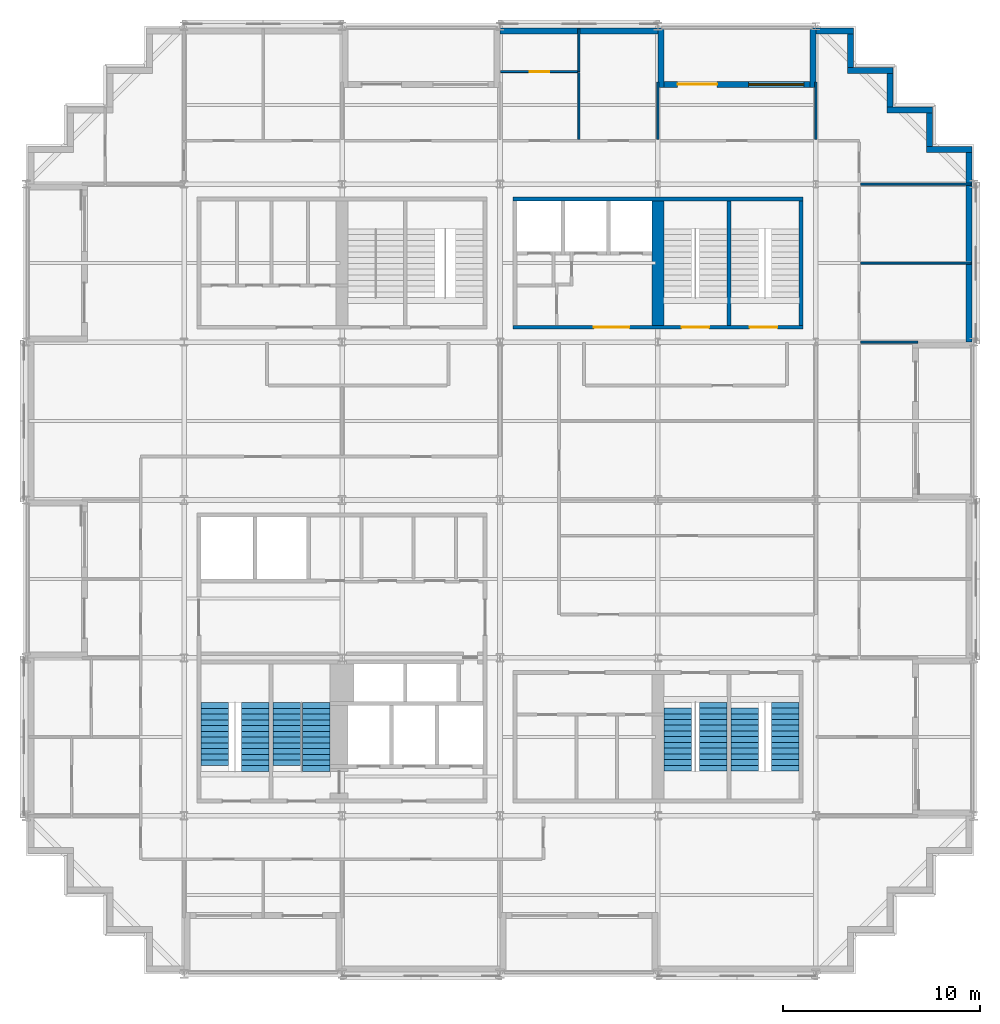
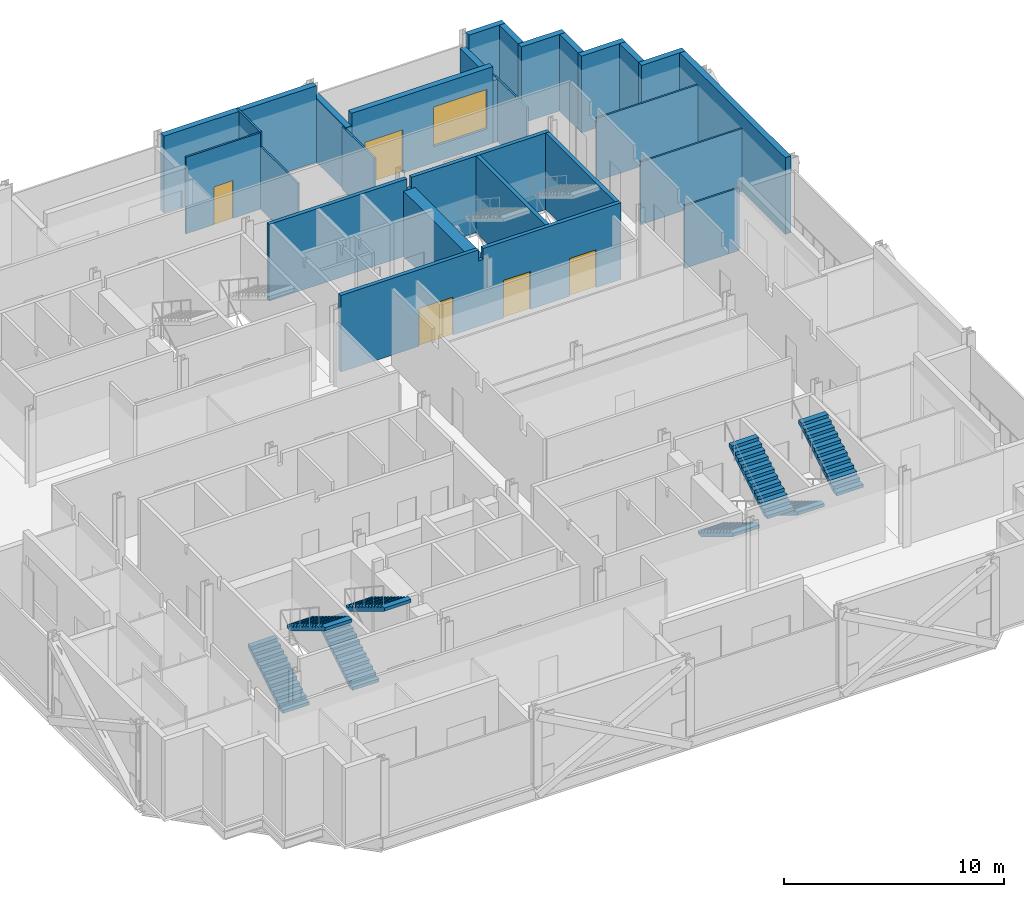
# One storey, part 11 of 14: 25 walls, 8 stair flights, 5 doors, 1 window, 6 openings, 4 elements without a shape of their own.
"""IFC4 building model written with IfcOpenShell, lengths in metres."""

from ifc_helpers import new_model, si_unit, direction, frame, frame_2d, origin, place, context, subcontext, project, spatial, polyline, rectangle, outline, extrude, material, layer, layer_set, type_object, element, fill, aggregate, save


model = new_model("IFC4")

# Units and contexts
model_context = context("Model", 3, precision=1e-05, world=origin(), true_north=direction((0.0, 1.0)))
body_context = subcontext(model_context, "Body", "Model", "MODEL_VIEW")
ifc_project = project(units=[si_unit("LENGTHUNIT", "METRE"), si_unit("AREAUNIT", "SQUARE_METRE"), si_unit("VOLUMEUNIT", "CUBIC_METRE"), si_unit("PLANEANGLEUNIT", "RADIAN"), si_unit("MASSUNIT", "GRAM", prefix="KILO")], contexts=[model_context])

# Site, building, storey
site_placement = place(None, origin())
site = spatial("IfcSite", under=ifc_project, at=site_placement, CompositionType="ELEMENT")
building_placement = place(site_placement, origin())
building = spatial("IfcBuilding", under=site, at=building_placement, Name="Immortelle Media Tower", CompositionType="ELEMENT")
storey_placement = place(building_placement, frame((0.0, 0.0, 96.39990234375)))
storey = spatial("IfcBuildingStorey", under=building, at=storey_placement, Name="L18", CompositionType="ELEMENT", Elevation=96.39990234375)

# Walls
ifc_material_1 = material(Name="Pale aluminium cladding panel", Category="aluminium")
ifc_layer_1 = layer(ifc_material_1, 0.030029296875)
ifc_material_2 = material(Name="Steel ASTM A653 SS Gr 50 stud frame with mineral wool", Category="steel")
ifc_layer_2 = layer(ifc_material_2, 0.257568359375)
ifc_material_3 = material(Name="Moisture-resistant gypsum board", Category="gypsum")
ifc_layer_3 = layer(ifc_material_3, 0.012451171875)
ifc_layer_set_1 = layer_set([ifc_layer_1, ifc_layer_2, ifc_layer_3], Name="Steel ASTM A653 SS Gr 50 stud frame with mineral wool")
wall_type_1 = type_object("IfcWallType", Name="Facade wall 300", PredefinedType="SOLIDWALL", material=ifc_layer_set_1)
wall_1_placement = place(storey_placement, frame((47.75, 32.0, 0.0), z_axis=(0.0, 0.0, 1.0), x_axis=(0.0, 1.0, 0.0)))
element("IfcWall", 1, at=wall_1_placement, inside=storey, type_object=wall_type_1, Name="Facade wall L18 E14", PredefinedType="SOLIDWALL", context=body_context, shape_type="SweptSolid", body=[
    extrude(rectangle(XDim=9.60009765625, YDim=0.300048828125, at=frame_2d((4.800048828125, 0.0))), origin(), (0.0, 0.0, 1.0), 4.25),
])
wall_2_placement = place(storey_placement, frame((47.89990234375, 41.75, 0.0), z_axis=(0.0, 0.0, 1.0), x_axis=(-1.0, 0.0, 0.0)))
element("IfcWall", 2, at=wall_2_placement, inside=storey, type_object=wall_type_1, Name="Facade wall L18 N15", PredefinedType="SOLIDWALL", context=body_context, shape_type="SweptSolid", body=[
    extrude(rectangle(XDim=2.2998046875, YDim=0.300048828125, at=frame_2d((1.14990234375, 0.0))), origin(), (0.0, 0.0, 1.0), 4.25),
])
wall_3_placement = place(storey_placement, frame((45.75, 41.89990234375, 0.0), z_axis=(0.0, 0.0, 1.0), x_axis=(0.0, 1.0, 0.0)))
element("IfcWall", 3, at=wall_3_placement, inside=storey, type_object=wall_type_1, Name="Facade wall L18 E16", PredefinedType="SOLIDWALL", context=body_context, shape_type="SweptSolid", body=[
    extrude(rectangle(XDim=1.7001953125, YDim=0.300048828125, at=frame_2d((0.85009765625, 0.0))), origin(), (0.0, 0.0, 1.0), 4.25),
])
wall_4_placement = place(storey_placement, frame((45.89990234375, 43.75, 0.0), z_axis=(0.0, 0.0, 1.0), x_axis=(-1.0, 0.0, 0.0)))
element("IfcWall", 4, at=wall_4_placement, inside=storey, type_object=wall_type_1, Name="Facade wall L18 N17", PredefinedType="SOLIDWALL", context=body_context, shape_type="SweptSolid", body=[
    extrude(rectangle(XDim=2.2998046875, YDim=0.300048828125, at=frame_2d((1.14990234375, 0.0))), origin(), (0.0, 0.0, 1.0), 4.25),
])
wall_5_placement = place(storey_placement, frame((43.75, 43.89990234375, 0.0), z_axis=(0.0, 0.0, 1.0), x_axis=(0.0, 1.0, 0.0)))
element("IfcWall", 5, at=wall_5_placement, inside=storey, type_object=wall_type_1, Name="Facade wall L18 E18", PredefinedType="SOLIDWALL", context=body_context, shape_type="SweptSolid", body=[
    extrude(rectangle(XDim=1.7001953125, YDim=0.300048828125, at=frame_2d((0.85009765625, 0.0))), origin(), (0.0, 0.0, 1.0), 4.25),
])
wall_6_placement = place(storey_placement, frame((43.89990234375, 45.75, 0.0), z_axis=(0.0, 0.0, 1.0), x_axis=(-1.0, 0.0, 0.0)))
element("IfcWall", 6, at=wall_6_placement, inside=storey, type_object=wall_type_1, Name="Facade wall L18 N19", PredefinedType="SOLIDWALL", context=body_context, shape_type="SweptSolid", body=[
    extrude(rectangle(XDim=2.2998046875, YDim=0.300048828125, at=frame_2d((1.14990234375, 0.0))), origin(), (0.0, 0.0, 1.0), 4.25),
])
wall_7_placement = place(storey_placement, frame((41.75, 45.89990234375, 0.0), z_axis=(0.0, 0.0, 1.0), x_axis=(0.0, 1.0, 0.0)))
element("IfcWall", 7, at=wall_7_placement, inside=storey, type_object=wall_type_1, Name="Facade wall L18 E20", PredefinedType="SOLIDWALL", context=body_context, shape_type="SweptSolid", body=[
    extrude(rectangle(XDim=1.7001953125, YDim=0.300048828125, at=frame_2d((0.85009765625, 0.0))), origin(), (0.0, 0.0, 1.0), 4.25),
])
wall_8_placement = place(storey_placement, frame((41.89990234375, 47.75, 0.0), z_axis=(0.0, 0.0, 1.0), x_axis=(-1.0, 0.0, 0.0)))
element("IfcWall", 8, at=wall_8_placement, inside=storey, type_object=wall_type_1, Name="Facade wall L18 N21", PredefinedType="SOLIDWALL", context=body_context, shape_type="SweptSolid", body=[
    extrude(rectangle(XDim=1.89990234375, YDim=0.300048828125, at=frame_2d((0.949951171875, 0.0))), origin(), (0.0, 0.0, 1.0), 4.25),
])

# Wall, openings, door, window
wall_9_placement = place(storey_placement, frame((39.699951171875, 45.050048828125, 0.0), z_axis=(0.0, 0.0, 1.0), x_axis=(-1.0, 0.0, 0.0)))
wall_9 = element("IfcWall", 9, at=wall_9_placement, inside=storey, type_object=wall_type_1, Name="Loggia wall L18 N21", PredefinedType="SOLIDWALL", context=body_context, shape_type="SweptSolid", body=[
    extrude(rectangle(XDim=7.39990234375, YDim=0.300048828125, at=frame_2d((3.699951171875, 0.0))), origin(), (0.0, 0.0, 1.0), 4.25),
])
opening_1_placement = place(wall_9_placement, frame((0.300048828125, 0.0, 0.89990234375)))
opening_1 = element("IfcOpeningElement", 10, at=opening_1_placement, cuts=wall_9, Name="Opening W1", PredefinedType="OPENING", context=body_context, shape_type="SweptSolid", body=[
    extrude(rectangle(XDim=2.800048828125, YDim=2.199951171875, at=frame_2d((1.39990234375, 1.10009765625))), frame((0.0, 0.159912109375, 0.0), z_axis=(0.0, -1.0, 0.0), x_axis=(1.0, 0.0, 0.0)), (0.0, 0.0, 1.0), 0.320068359375),
])
opening_2_placement = place(wall_9_placement, frame((4.699951171875, 0.0, 0.0)))
opening_2 = element("IfcOpeningElement", 11, at=opening_2_placement, cuts=wall_9, Name="Opening N6-E007", PredefinedType="OPENING", context=body_context, shape_type="SweptSolid", body=[
    extrude(rectangle(XDim=2.0, YDim=2.39990234375, at=frame_2d((1.0, 1.199951171875))), frame((0.0, 0.159912109375, 0.0), z_axis=(0.0, -1.0, 0.0), x_axis=(1.0, 0.0, 0.0)), (0.0, 0.0, 1.0), 0.320068359375),
])
ifc_material_4 = material(Name="Aluminium frame, glazed leaves", Category="aluminium")
door_type_1 = type_object("IfcDoorType", Name="Loggia door 2000 x 2400", OperationType="DOUBLE_DOOR_SINGLE_SWING", PredefinedType="DOOR", material=ifc_material_4)
door_1_placement = place(opening_2_placement, origin())
door_1 = element("IfcDoor", 12, at=door_1_placement, inside=storey, type_object=door_type_1, Name="Door N6-E007", OperationType="DOUBLE_DOOR_SINGLE_SWING", OverallHeight=2.39990234375, OverallWidth=2.0, PredefinedType="DOOR", context=body_context, shape_type="SweptSolid", body=[
    extrude(rectangle(XDim=2.0, YDim=2.39990234375, at=frame_2d((1.0, 1.199951171875))), frame((0.0, 0.02490234375, 0.0), z_axis=(0.0, -1.0, 0.0), x_axis=(1.0, 0.0, 0.0)), (0.0, 0.0, 1.0), 0.050048828125),
])
fill(opening_2, door_1)
ifc_material_5 = material(Name="Aluminium frame", Category="aluminium")
window_type = type_object("IfcWindowType", Name="Window 2800 x 2200", PartitioningType="SINGLE_PANEL", PredefinedType="WINDOW", material=ifc_material_5)
window_placement = place(opening_1_placement, origin())
window = element("IfcWindow", 13, at=window_placement, inside=storey, type_object=window_type, Name="Window L18 L18-R21-B0", OverallHeight=2.199951171875, OverallWidth=2.800048828125, PartitioningType="SINGLE_PANEL", PredefinedType="WINDOW", context=body_context, shape_type="SweptSolid", body=[
    extrude(rectangle(XDim=2.800048828125, YDim=2.199951171875, at=frame_2d((1.39990234375, 1.10009765625))), frame((0.0, 0.030029296875, 0.0), z_axis=(0.0, -1.0, 0.0), x_axis=(1.0, 0.0, 0.0)), (0.0, 0.0, 1.0), 0.06005859375),
])
fill(opening_1, window)

# Walls
wall_10_placement = place(storey_placement, frame((39.85009765625, 47.89990234375, 0.0), z_axis=(0.0, 0.0, 1.0), x_axis=(0.0, -1.0, 0.0)))
element("IfcWall", 14, at=wall_10_placement, inside=storey, type_object=wall_type_1, Name="Loggia cheek wall L18 N", PredefinedType="SOLIDWALL", context=body_context, shape_type="SweptSolid", body=[
    extrude(rectangle(XDim=3.0, YDim=0.300048828125, at=frame_2d((1.5, 0.0))), origin(), (0.0, 0.0, 1.0), 3.468994140625),
])
wall_11_placement = place(storey_placement, frame((32.14990234375, 47.89990234375, 0.0), z_axis=(0.0, 0.0, 1.0), x_axis=(0.0, -1.0, 0.0)))
element("IfcWall", 15, at=wall_11_placement, inside=storey, type_object=wall_type_1, Name="Loggia cheek wall L18 N", PredefinedType="SOLIDWALL", context=body_context, shape_type="SweptSolid", body=[
    extrude(rectangle(XDim=3.0, YDim=0.300048828125, at=frame_2d((1.5, 0.0))), origin(), (0.0, 0.0, 1.0), 3.55615234375),
])
wall_12_placement = place(storey_placement, frame((32.0, 47.75, 0.0), z_axis=(0.0, 0.0, 1.0), x_axis=(-1.0, 0.0, 0.0)))
element("IfcWall", 16, at=wall_12_placement, inside=storey, type_object=wall_type_1, Name="Facade wall L18 N21", PredefinedType="SOLIDWALL", context=body_context, shape_type="SweptSolid", body=[
    extrude(rectangle(XDim=8.0, YDim=0.300048828125, at=frame_2d((4.0, 0.0))), origin(), (0.0, 0.0, 1.0), 4.25),
])
ifc_material_6 = material(Name="Gypsum board", Category="gypsum")
ifc_layer_4 = layer(ifc_material_6, 0.012451171875)
ifc_layer_5 = layer(ifc_material_2, 0.074951171875)
ifc_layer_6 = layer(ifc_material_6, 0.012451171875)
ifc_layer_set_2 = layer_set([ifc_layer_4, ifc_layer_5, ifc_layer_6], Name="Steel ASTM A653 SS Gr 50 stud frame with mineral wool")
wall_type_2 = type_object("IfcWallType", Name="Partition 100", PredefinedType="PARTITIONING", material=ifc_layer_set_2)
wall_13_placement = place(storey_placement, frame((42.27490234375, 32.0, 0.0), z_axis=(0.0, 0.0, 1.0), x_axis=(1.0, 0.0, 0.0)))
element("IfcWall", 17, at=wall_13_placement, inside=storey, type_object=wall_type_2, Name="Partition L18-041", PredefinedType="PARTITIONING", context=body_context, shape_type="SweptSolid", body=[
    extrude(rectangle(XDim=2.89501953125, YDim=0.10009765625, at=frame_2d((1.447509765625, 0.0))), origin(), (0.0, 0.0, 1.0), 3.47021484375),
])
for number, where, z_axis, x_axis, name in (
    (18, (42.27490234375, 36.0, 0.0), (0.0, 0.0, 1.0), (1.0, 0.0, 0.0), "Partition L18-042"),
    (19, (42.27490234375, 40.0, 0.0), (0.0, 0.0, 1.0), (1.0, 0.0, 0.0), "Partition L18-046"),
):
    element("IfcWall", number, at=place(storey_placement, frame(where, z_axis=z_axis, x_axis=x_axis)), inside=storey, type_object=wall_type_2, Name=name, PredefinedType="PARTITIONING", context=body_context, shape_type="SweptSolid", body=[
        extrude(rectangle(XDim=5.59521484375, YDim=0.10009765625, at=frame_2d((2.797607421875, 0.0))), origin(), (0.0, 0.0, 1.0), 3.47021484375),
    ])
wall_14_placement = place(storey_placement, frame((28.0, 42.27490234375, 0.0), z_axis=(0.0, 0.0, 1.0), x_axis=(0.0, 1.0, 0.0)))
element("IfcWall", 20, at=wall_14_placement, inside=storey, type_object=wall_type_2, Name="Partition L18-053", PredefinedType="PARTITIONING", context=body_context, shape_type="SweptSolid", body=[
    extrude(rectangle(XDim=3.375, YDim=0.10009765625, at=frame_2d((1.6875, 0.0))), origin(), (0.0, 0.0, 1.0), 3.47021484375),
])
for number, where, z_axis, x_axis, name in (
    (21, (32.0, 42.27490234375, 0.0), (0.0, 0.0, 1.0), (0.0, 1.0, 0.0), "Partition L18-054"),
    (22, (40.0, 42.27490234375, 0.0), (0.0, 0.0, 1.0), (0.0, 1.0, 0.0), "Partition L18-055"),
):
    element("IfcWall", number, at=place(storey_placement, frame(where, z_axis=z_axis, x_axis=x_axis)), inside=storey, type_object=wall_type_2, Name=name, PredefinedType="PARTITIONING", context=body_context, shape_type="SweptSolid", body=[
        extrude(rectangle(XDim=2.89501953125, YDim=0.10009765625, at=frame_2d((1.447509765625, 0.0))), origin(), (0.0, 0.0, 1.0), 3.47021484375),
    ])

# Wall, opening, door
wall_15_placement = place(storey_placement, frame((24.030029296875, 45.699951171875, 0.0), z_axis=(0.0, 0.0, 1.0), x_axis=(1.0, 0.0, 0.0)))
wall_15 = element("IfcWall", 23, at=wall_15_placement, inside=storey, type_object=wall_type_2, Name="Partition L18-056", PredefinedType="PARTITIONING", context=body_context, shape_type="SweptSolid", body=[
    extrude(rectangle(XDim=3.919921875, YDim=0.10009765625, at=frame_2d((1.9599609375, 0.0))), origin(), (0.0, 0.0, 1.0), 4.25),
])
opening_3_placement = place(wall_15_placement, frame((2.469970703125, 0.0, 0.0), z_axis=(0.0, 0.0, 1.0), x_axis=(-1.0, 0.0, 0.0)))
opening_3 = element("IfcOpeningElement", 24, at=opening_3_placement, cuts=wall_15, Name="Opening N6-F033", PredefinedType="OPENING", context=body_context, shape_type="SweptSolid", body=[
    extrude(rectangle(XDim=1.0, YDim=2.10009765625, at=frame_2d((0.5, 1.050048828125))), frame((0.0, 0.06005859375, 0.0), z_axis=(0.0, -1.0, 0.0), x_axis=(1.0, 0.0, 0.0)), (0.0, 0.0, 1.0), 0.1201171875),
])
ifc_material_7 = material(Name="Timber veneered door leaf, galvanised steel frame ASTM A653", Category="steel")
door_type_2 = type_object("IfcDoorType", Name="Room door 1000 x 2100", OperationType="NOTDEFINED", PredefinedType="DOOR", material=ifc_material_7)
door_2_placement = place(opening_3_placement, origin())
door_2 = element("IfcDoor", 25, at=door_2_placement, inside=storey, type_object=door_type_2, Name="Door N6-F033", OperationType="SINGLE_SWING_LEFT", OverallHeight=2.10009765625, OverallWidth=1.0, PredefinedType="DOOR", context=body_context, shape_type="SweptSolid", body=[
    extrude(rectangle(XDim=1.0, YDim=2.10009765625, at=frame_2d((0.5, 1.050048828125))), frame((0.0, 0.02490234375, 0.0), z_axis=(0.0, -1.0, 0.0), x_axis=(1.0, 0.0, 0.0)), (0.0, 0.0, 1.0), 0.050048828125),
])
fill(opening_3, door_2)

# Wall
wall_16_placement = place(storey_placement, frame((28.0, 45.699951171875, 0.0), z_axis=(0.0, 0.0, 1.0), x_axis=(0.0, 1.0, 0.0)))
element("IfcWall", 26, at=wall_16_placement, inside=storey, type_object=wall_type_2, Name="Partition L18-057", PredefinedType="PARTITIONING", context=body_context, shape_type="SweptSolid", body=[
    extrude(rectangle(XDim=2.170166015625, YDim=0.10009765625, at=frame_2d((1.0849609375, 0.0))), origin(), (0.0, 0.0, 1.0), 4.25),
])

# Wall, openings, doors
ifc_material_8 = material(Name="Concrete C60", Category="concrete")
ifc_layer_7 = layer(ifc_material_8, 0.199951171875)
ifc_layer_set_3 = layer_set([ifc_layer_7], Name="Concrete C60")
wall_type_3 = type_object("IfcWallType", Name="Stair shaft wall 200", PredefinedType="PARTITIONING", material=ifc_layer_set_3)
wall_17_placement = place(storey_placement, frame((24.64990234375, 32.75, 0.0), z_axis=(0.0, 0.0, 1.0), x_axis=(1.0, 0.0, 0.0)))
wall_17 = element("IfcWall", 27, at=wall_17_placement, inside=storey, type_object=wall_type_3, Name="Stair shaft wall NE", PredefinedType="PARTITIONING", context=body_context, shape_type="SweptSolid", body=[
    extrude(outline(polyline([(0.0, 0.0), (14.7001953125, 0.0), (14.699951171875, 4.25), (7.469482421875, 4.25), (7.468505859375, 3.632080078125), (7.2314453125, 3.632080078125), (7.23046875, 4.25), (0.0, 4.25), (0.0, 0.0)])), frame((0.0, 0.10009765625, 0.0), z_axis=(0.0, -1.0, 0.0), x_axis=(1.0, 0.0, 0.0)), (0.0, 0.0, 1.0), 0.199951171875),
])
opening_4_placement = place(wall_17_placement, frame((4.10009765625, 0.0, 0.0)))
opening_4 = element("IfcOpeningElement", 28, at=opening_4_placement, cuts=wall_17, Name="Opening N6-K032", PredefinedType="OPENING", context=body_context, shape_type="SweptSolid", body=[
    extrude(rectangle(XDim=1.800048828125, YDim=2.10009765625, at=frame_2d((0.89990234375, 1.050048828125))), frame((0.0, 0.10986328125, 0.0), z_axis=(0.0, -1.0, 0.0), x_axis=(1.0, 0.0, 0.0)), (0.0, 0.0, 1.0), 0.219970703125),
])
opening_5_placement = place(wall_17_placement, frame((8.550048828125, 0.0, 0.0)))
opening_5 = element("IfcOpeningElement", 29, at=opening_5_placement, cuts=wall_17, Name="Opening N6-K034", PredefinedType="OPENING", context=body_context, shape_type="SweptSolid", body=[
    extrude(rectangle(XDim=1.39990234375, YDim=2.10009765625, at=frame_2d((0.699951171875, 1.050048828125))), frame((0.0, 0.10986328125, 0.0), z_axis=(0.0, -1.0, 0.0), x_axis=(1.0, 0.0, 0.0)), (0.0, 0.0, 1.0), 0.219970703125),
])
opening_6_placement = place(wall_17_placement, frame((12.0, 0.0, 0.0)))
opening_6 = element("IfcOpeningElement", 30, at=opening_6_placement, cuts=wall_17, Name="Opening N6-K035", PredefinedType="OPENING", context=body_context, shape_type="SweptSolid", body=[
    extrude(rectangle(XDim=1.39990234375, YDim=2.10009765625, at=frame_2d((0.699951171875, 1.050048828125))), frame((0.0, 0.10986328125, 0.0), z_axis=(0.0, -1.0, 0.0), x_axis=(1.0, 0.0, 0.0)), (0.0, 0.0, 1.0), 0.219970703125),
])
ifc_material_9 = material(Name="Galvanised steel door leaf and frame ASTM A653", Category="steel")
door_type_3 = type_object("IfcDoorType", Name="Lift lobby door 1800 x 2100", OperationType="DOUBLE_DOOR_SINGLE_SWING", PredefinedType="NOTDEFINED", material=ifc_material_9)
door_3_placement = place(opening_4_placement, origin())
door_3 = element("IfcDoor", 31, at=door_3_placement, inside=storey, type_object=door_type_3, Name="Lift lobby N6-K032", OperationType="DOUBLE_DOOR_SINGLE_SWING", OverallHeight=2.10009765625, OverallWidth=1.800048828125, PredefinedType="NOTDEFINED", context=body_context, shape_type="SweptSolid", body=[
    extrude(rectangle(XDim=1.800048828125, YDim=2.10009765625, at=frame_2d((0.89990234375, 1.050048828125))), frame((0.0, 0.02490234375, 0.0), z_axis=(0.0, -1.0, 0.0), x_axis=(1.0, 0.0, 0.0)), (0.0, 0.0, 1.0), 0.050048828125),
])
fill(opening_4, door_3)
door_type_4 = type_object("IfcDoorType", Name="Stair door 1400 x 2100", OperationType="DOUBLE_DOOR_SINGLE_SWING", PredefinedType="NOTDEFINED", material=ifc_material_9)
door_4_placement = place(opening_5_placement, origin())
door_4 = element("IfcDoor", 32, at=door_4_placement, inside=storey, type_object=door_type_4, Name="Stair N6-K034", OperationType="DOUBLE_DOOR_SINGLE_SWING", OverallHeight=2.10009765625, OverallWidth=1.39990234375, PredefinedType="NOTDEFINED", context=body_context, shape_type="SweptSolid", body=[
    extrude(rectangle(XDim=1.39990234375, YDim=2.10009765625, at=frame_2d((0.699951171875, 1.050048828125))), frame((0.0, 0.02490234375, 0.0), z_axis=(0.0, -1.0, 0.0), x_axis=(1.0, 0.0, 0.0)), (0.0, 0.0, 1.0), 0.050048828125),
])
fill(opening_5, door_4)
door_5_placement = place(opening_6_placement, origin())
door_5 = element("IfcDoor", 33, at=door_5_placement, inside=storey, type_object=door_type_4, Name="Stair N6-K035", OperationType="DOUBLE_DOOR_SINGLE_SWING", OverallHeight=2.10009765625, OverallWidth=1.39990234375, PredefinedType="NOTDEFINED", context=body_context, shape_type="SweptSolid", body=[
    extrude(rectangle(XDim=1.39990234375, YDim=2.10009765625, at=frame_2d((0.699951171875, 1.050048828125))), frame((0.0, 0.02490234375, 0.0), z_axis=(0.0, -1.0, 0.0), x_axis=(1.0, 0.0, 0.0)), (0.0, 0.0, 1.0), 0.050048828125),
])
fill(opening_6, door_5)

# Walls
wall_18_placement = place(storey_placement, frame((24.64990234375, 39.25, 0.0), z_axis=(0.0, 0.0, 1.0), x_axis=(1.0, 0.0, 0.0)))
element("IfcWall", 34, at=wall_18_placement, inside=storey, type_object=wall_type_3, Name="Stair shaft wall NE", PredefinedType="PARTITIONING", context=body_context, shape_type="SweptSolid", body=[
    extrude(outline(polyline([(0.0, 0.0), (14.7001953125, 0.0), (14.699951171875, 4.25), (7.469482421875, 4.25), (7.468505859375, 3.632080078125), (7.2314453125, 3.632080078125), (7.23046875, 4.25), (0.0, 4.25), (0.0, 0.0)])), frame((0.0, 0.10009765625, 0.0), z_axis=(0.0, -1.0, 0.0), x_axis=(1.0, 0.0, 0.0)), (0.0, 0.0, 1.0), 0.199951171875),
])
for number, where, z_axis, x_axis, name in (
    (35, (35.60009765625, 32.85009765625, 0.0), (0.0, 0.0, 1.0), (0.0, 1.0, 0.0), "Stair shaft wall NE"),
    (36, (39.25, 32.85009765625, 0.0), (0.0, 0.0, 1.0), (0.0, 1.0, 0.0), "Stair shaft wall NE"),
):
    element("IfcWall", number, at=place(storey_placement, frame(where, z_axis=z_axis, x_axis=x_axis)), inside=storey, type_object=wall_type_3, Name=name, PredefinedType="PARTITIONING", context=body_context, shape_type="SweptSolid", body=[
        extrude(rectangle(XDim=6.2998046875, YDim=0.199951171875, at=frame_2d((3.14990234375, 0.0))), origin(), (0.0, 0.0, 1.0), 4.25),
    ])
ifc_layer_8 = layer(ifc_material_8, 0.60009765625)
ifc_layer_set_4 = layer_set([ifc_layer_8], Name="Concrete C60")
wall_type_4 = type_object("IfcWallType", Name="Stair shaft wall 600", PredefinedType="PARTITIONING", material=ifc_layer_set_4)
wall_19_placement = place(storey_placement, frame((32.0, 32.85009765625, 0.0), z_axis=(0.0, 0.0, 1.0), x_axis=(0.0, 1.0, 0.0)))
element("IfcWall", 37, at=wall_19_placement, inside=storey, type_object=wall_type_4, Name="Stair shaft wall NE", PredefinedType="PARTITIONING", context=body_context, shape_type="SweptSolid", body=[
    extrude(rectangle(XDim=6.2998046875, YDim=0.60009765625, at=frame_2d((3.14990234375, 0.0))), origin(), (0.0, 0.0, 1.0), 3.632080078125),
])

# Stair, stair flights
ifc_material_10 = material(Name="Steel ASTM A992 Gr 50", Category="steel")
stair_type = type_object("IfcStairType", Name="Stair with flights", PredefinedType="DOUBLE_RETURN_STAIR", material=ifc_material_10)
stair_1_placement = place(storey_placement, origin())
stair_1 = element("IfcStair", 38, at=stair_1_placement, inside=storey, type_object=stair_type, Name="Exit stair SW1", PredefinedType="DOUBLE_RETURN_STAIR")
stair_flight_type = type_object("IfcStairFlightType", Name="Stair flight 1400", PredefinedType="STRAIGHT", material=ifc_material_10)
stair_flight_1_placement = place(storey_placement, frame((9.550048828125, 10.5400390625, 0.0), z_axis=(0.0, 0.0, 1.0), x_axis=(0.0, 1.0, 0.0)))
stair_flight_1 = element("IfcStairFlight", 39, at=stair_flight_1_placement, type_object=stair_flight_type, Name="ST SW1 flight 1", NumberOfRisers=12, NumberOfTreads=11, PredefinedType="STRAIGHT", RiserHeight=0.176, TreadLength=0.29, context=body_context, shape_type="SweptSolid", body=[
    extrude(outline(polyline([(0.0, 0.0), (0.0, 0.176025390625), (0.2900390625, 0.176025390625), (0.2900390625, 0.35205078125), (0.580078125, 0.35205078125), (0.580078125, 0.528076171875), (0.8701171875, 0.528076171875), (0.8701171875, 0.7041015625), (1.159912109375, 0.7041015625), (1.159912109375, 0.8798828125), (1.449951171875, 0.8798828125), (1.449951171875, 1.055908203125), (1.739990234375, 1.055908203125), (1.739990234375, 1.23193359375), (2.030029296875, 1.23193359375), (2.030029296875, 1.407958984375), (2.320068359375, 1.407958984375), (2.320068359375, 1.583984375), (2.610107421875, 1.583984375), (2.610107421875, 1.760009765625), (2.89990234375, 1.760009765625), (2.89990234375, 1.93603515625), (3.18994140625, 1.93603515625), (3.18994140625, 2.112060546875), (3.18994140625, 1.7607421875), (0.288818359375, 0.0), (0.0, 0.0)])), frame((0.0, 0.699951171875, 0.0), z_axis=(0.0, -1.0, 0.0), x_axis=(1.0, 0.0, 0.0)), (0.0, 0.0, 1.0), 1.39990234375),
])
stair_flight_2_placement = place(storey_placement, frame((11.60009765625, 13.72998046875, 2.112060546875), z_axis=(0.0, 0.0, 1.0), x_axis=(0.0, -1.0, 0.0)))
stair_flight_2 = element("IfcStairFlight", 40, at=stair_flight_2_placement, type_object=stair_flight_type, Name="ST SW1 flight 2", NumberOfRisers=13, NumberOfTreads=12, PredefinedType="STRAIGHT", RiserHeight=0.176, TreadLength=0.29, context=body_context, shape_type="SweptSolid", body=[
    extrude(outline(polyline([(0.0, 0.0), (0.0, 0.176025390625), (0.2900390625, 0.176025390625), (0.2900390625, 0.35205078125), (0.580078125, 0.35205078125), (0.580078125, 0.528076171875), (0.8701171875, 0.528076171875), (0.8701171875, 0.7041015625), (1.159912109375, 0.7041015625), (1.159912109375, 0.8798828125), (1.449951171875, 0.8798828125), (1.449951171875, 1.055908203125), (1.739990234375, 1.055908203125), (1.739990234375, 1.23193359375), (2.030029296875, 1.23193359375), (2.030029296875, 1.407958984375), (2.320068359375, 1.407958984375), (2.320068359375, 1.583984375), (2.610107421875, 1.583984375), (2.610107421875, 1.760009765625), (2.89990234375, 1.760009765625), (2.89990234375, 1.93603515625), (3.18994140625, 1.93603515625), (3.18994140625, 2.112060546875), (3.47998046875, 2.112060546875), (3.47998046875, 2.2880859375), (3.47998046875, 1.936767578125), (0.288818359375, 0.0), (0.0, 0.0)])), frame((0.0, 0.699951171875, 0.0), z_axis=(0.0, -1.0, 0.0), x_axis=(1.0, 0.0, 0.0)), (0.0, 0.0, 1.0), 1.39990234375),
])
aggregate(stair_1, [stair_flight_1, stair_flight_2])

stair_2_placement = place(storey_placement, origin())
stair_2 = element("IfcStair", 41, at=stair_2_placement, inside=storey, type_object=stair_type, Name="Exit stair SW2", PredefinedType="DOUBLE_RETURN_STAIR")
stair_flight_3_placement = place(storey_placement, frame((13.199951171875, 10.5400390625, 0.0), z_axis=(0.0, 0.0, 1.0), x_axis=(0.0, 1.0, 0.0)))
stair_flight_3 = element("IfcStairFlight", 42, at=stair_flight_3_placement, type_object=stair_flight_type, Name="ST SW2 flight 1", NumberOfRisers=12, NumberOfTreads=11, PredefinedType="STRAIGHT", RiserHeight=0.176, TreadLength=0.29, context=body_context, shape_type="SweptSolid", body=[
    extrude(outline(polyline([(0.0, 0.0), (0.0, 0.176025390625), (0.2900390625, 0.176025390625), (0.2900390625, 0.35205078125), (0.580078125, 0.35205078125), (0.580078125, 0.528076171875), (0.8701171875, 0.528076171875), (0.8701171875, 0.7041015625), (1.159912109375, 0.7041015625), (1.159912109375, 0.8798828125), (1.449951171875, 0.8798828125), (1.449951171875, 1.055908203125), (1.739990234375, 1.055908203125), (1.739990234375, 1.23193359375), (2.030029296875, 1.23193359375), (2.030029296875, 1.407958984375), (2.320068359375, 1.407958984375), (2.320068359375, 1.583984375), (2.610107421875, 1.583984375), (2.610107421875, 1.760009765625), (2.89990234375, 1.760009765625), (2.89990234375, 1.93603515625), (3.18994140625, 1.93603515625), (3.18994140625, 2.112060546875), (3.18994140625, 1.7607421875), (0.288818359375, 0.0), (0.0, 0.0)])), frame((0.0, 0.699951171875, 0.0), z_axis=(0.0, -1.0, 0.0), x_axis=(1.0, 0.0, 0.0)), (0.0, 0.0, 1.0), 1.39990234375),
])
stair_flight_4_placement = place(storey_placement, frame((14.699951171875, 13.72998046875, 2.112060546875), z_axis=(0.0, 0.0, 1.0), x_axis=(0.0, -1.0, 0.0)))
stair_flight_4 = element("IfcStairFlight", 43, at=stair_flight_4_placement, type_object=stair_flight_type, Name="ST SW2 flight 2", NumberOfRisers=13, NumberOfTreads=12, PredefinedType="STRAIGHT", RiserHeight=0.176, TreadLength=0.29, context=body_context, shape_type="SweptSolid", body=[
    extrude(outline(polyline([(0.0, 0.0), (0.0, 0.176025390625), (0.2900390625, 0.176025390625), (0.2900390625, 0.35205078125), (0.580078125, 0.35205078125), (0.580078125, 0.528076171875), (0.8701171875, 0.528076171875), (0.8701171875, 0.7041015625), (1.159912109375, 0.7041015625), (1.159912109375, 0.8798828125), (1.449951171875, 0.8798828125), (1.449951171875, 1.055908203125), (1.739990234375, 1.055908203125), (1.739990234375, 1.23193359375), (2.030029296875, 1.23193359375), (2.030029296875, 1.407958984375), (2.320068359375, 1.407958984375), (2.320068359375, 1.583984375), (2.610107421875, 1.583984375), (2.610107421875, 1.760009765625), (2.89990234375, 1.760009765625), (2.89990234375, 1.93603515625), (3.18994140625, 1.93603515625), (3.18994140625, 2.112060546875), (3.47998046875, 2.112060546875), (3.47998046875, 2.2880859375), (3.47998046875, 1.936767578125), (0.288818359375, 0.0), (0.0, 0.0)])), frame((0.0, 0.699951171875, 0.0), z_axis=(0.0, -1.0, 0.0), x_axis=(1.0, 0.0, 0.0)), (0.0, 0.0, 1.0), 1.39990234375),
])
aggregate(stair_2, [stair_flight_3, stair_flight_4])

stair_3_placement = place(storey_placement, origin())
stair_3 = element("IfcStair", 44, at=stair_3_placement, inside=storey, type_object=stair_type, Name="Exit stair SE1", PredefinedType="DOUBLE_RETURN_STAIR")
stair_flight_5_placement = place(storey_placement, frame((33.0, 13.4599609375, 0.0), z_axis=(0.0, 0.0, 1.0), x_axis=(0.0, -1.0, 0.0)))
stair_flight_5 = element("IfcStairFlight", 45, at=stair_flight_5_placement, type_object=stair_flight_type, Name="ST SE1 flight 1", NumberOfRisers=12, NumberOfTreads=11, PredefinedType="STRAIGHT", RiserHeight=0.176, TreadLength=0.29, context=body_context, shape_type="SweptSolid", body=[
    extrude(outline(polyline([(0.0, 0.0), (0.0, 0.176025390625), (0.2900390625, 0.176025390625), (0.2900390625, 0.35205078125), (0.580078125, 0.35205078125), (0.580078125, 0.528076171875), (0.8701171875, 0.528076171875), (0.8701171875, 0.7041015625), (1.159912109375, 0.7041015625), (1.159912109375, 0.8798828125), (1.449951171875, 0.8798828125), (1.449951171875, 1.055908203125), (1.739990234375, 1.055908203125), (1.739990234375, 1.23193359375), (2.030029296875, 1.23193359375), (2.030029296875, 1.407958984375), (2.320068359375, 1.407958984375), (2.320068359375, 1.583984375), (2.610107421875, 1.583984375), (2.610107421875, 1.760009765625), (2.89990234375, 1.760009765625), (2.89990234375, 1.93603515625), (3.18994140625, 1.93603515625), (3.18994140625, 2.112060546875), (3.18994140625, 1.7607421875), (0.288818359375, 0.0), (0.0, 0.0)])), frame((0.0, 0.699951171875, 0.0), z_axis=(0.0, -1.0, 0.0), x_axis=(1.0, 0.0, 0.0)), (0.0, 0.0, 1.0), 1.39990234375),
])
stair_flight_6_placement = place(storey_placement, frame((34.800048828125, 10.27001953125, 2.112060546875), z_axis=(0.0, 0.0, 1.0), x_axis=(0.0, 1.0, 0.0)))
stair_flight_6 = element("IfcStairFlight", 46, at=stair_flight_6_placement, type_object=stair_flight_type, Name="ST SE1 flight 2", NumberOfRisers=13, NumberOfTreads=12, PredefinedType="STRAIGHT", RiserHeight=0.176, TreadLength=0.29, context=body_context, shape_type="SweptSolid", body=[
    extrude(outline(polyline([(0.0, 0.0), (0.0, 0.176025390625), (0.2900390625, 0.176025390625), (0.2900390625, 0.35205078125), (0.580078125, 0.35205078125), (0.580078125, 0.528076171875), (0.8701171875, 0.528076171875), (0.8701171875, 0.7041015625), (1.159912109375, 0.7041015625), (1.159912109375, 0.8798828125), (1.449951171875, 0.8798828125), (1.449951171875, 1.055908203125), (1.739990234375, 1.055908203125), (1.739990234375, 1.23193359375), (2.030029296875, 1.23193359375), (2.030029296875, 1.407958984375), (2.320068359375, 1.407958984375), (2.320068359375, 1.583984375), (2.610107421875, 1.583984375), (2.610107421875, 1.760009765625), (2.89990234375, 1.760009765625), (2.89990234375, 1.93603515625), (3.18994140625, 1.93603515625), (3.18994140625, 2.112060546875), (3.47998046875, 2.112060546875), (3.47998046875, 2.2880859375), (3.47998046875, 1.936767578125), (0.288818359375, 0.0), (0.0, 0.0)])), frame((0.0, 0.699951171875, 0.0), z_axis=(0.0, -1.0, 0.0), x_axis=(1.0, 0.0, 0.0)), (0.0, 0.0, 1.0), 1.39990234375),
])
aggregate(stair_3, [stair_flight_5, stair_flight_6])

stair_4_placement = place(storey_placement, origin())
stair_4 = element("IfcStair", 47, at=stair_4_placement, inside=storey, type_object=stair_type, Name="Exit stair SE2", PredefinedType="DOUBLE_RETURN_STAIR")
stair_flight_7_placement = place(storey_placement, frame((36.39990234375, 13.4599609375, 0.0), z_axis=(0.0, 0.0, 1.0), x_axis=(0.0, -1.0, 0.0)))
stair_flight_7 = element("IfcStairFlight", 48, at=stair_flight_7_placement, type_object=stair_flight_type, Name="ST SE2 flight 1", NumberOfRisers=12, NumberOfTreads=11, PredefinedType="STRAIGHT", RiserHeight=0.176, TreadLength=0.29, context=body_context, shape_type="SweptSolid", body=[
    extrude(outline(polyline([(0.0, 0.0), (0.0, 0.176025390625), (0.2900390625, 0.176025390625), (0.2900390625, 0.35205078125), (0.580078125, 0.35205078125), (0.580078125, 0.528076171875), (0.8701171875, 0.528076171875), (0.8701171875, 0.7041015625), (1.159912109375, 0.7041015625), (1.159912109375, 0.8798828125), (1.449951171875, 0.8798828125), (1.449951171875, 1.055908203125), (1.739990234375, 1.055908203125), (1.739990234375, 1.23193359375), (2.030029296875, 1.23193359375), (2.030029296875, 1.407958984375), (2.320068359375, 1.407958984375), (2.320068359375, 1.583984375), (2.610107421875, 1.583984375), (2.610107421875, 1.760009765625), (2.89990234375, 1.760009765625), (2.89990234375, 1.93603515625), (3.18994140625, 1.93603515625), (3.18994140625, 2.112060546875), (3.18994140625, 1.7607421875), (0.288818359375, 0.0), (0.0, 0.0)])), frame((0.0, 0.699951171875, 0.0), z_axis=(0.0, -1.0, 0.0), x_axis=(1.0, 0.0, 0.0)), (0.0, 0.0, 1.0), 1.39990234375),
])
stair_flight_8_placement = place(storey_placement, frame((38.449951171875, 10.27001953125, 2.112060546875), z_axis=(0.0, 0.0, 1.0), x_axis=(0.0, 1.0, 0.0)))
stair_flight_8 = element("IfcStairFlight", 49, at=stair_flight_8_placement, type_object=stair_flight_type, Name="ST SE2 flight 2", NumberOfRisers=13, NumberOfTreads=12, PredefinedType="STRAIGHT", RiserHeight=0.176, TreadLength=0.29, context=body_context, shape_type="SweptSolid", body=[
    extrude(outline(polyline([(0.0, 0.0), (0.0, 0.176025390625), (0.2900390625, 0.176025390625), (0.2900390625, 0.35205078125), (0.580078125, 0.35205078125), (0.580078125, 0.528076171875), (0.8701171875, 0.528076171875), (0.8701171875, 0.7041015625), (1.159912109375, 0.7041015625), (1.159912109375, 0.8798828125), (1.449951171875, 0.8798828125), (1.449951171875, 1.055908203125), (1.739990234375, 1.055908203125), (1.739990234375, 1.23193359375), (2.030029296875, 1.23193359375), (2.030029296875, 1.407958984375), (2.320068359375, 1.407958984375), (2.320068359375, 1.583984375), (2.610107421875, 1.583984375), (2.610107421875, 1.760009765625), (2.89990234375, 1.760009765625), (2.89990234375, 1.93603515625), (3.18994140625, 1.93603515625), (3.18994140625, 2.112060546875), (3.47998046875, 2.112060546875), (3.47998046875, 2.2880859375), (3.47998046875, 1.936767578125), (0.288818359375, 0.0), (0.0, 0.0)])), frame((0.0, 0.699951171875, 0.0), z_axis=(0.0, -1.0, 0.0), x_axis=(1.0, 0.0, 0.0)), (0.0, 0.0, 1.0), 1.39990234375),
])
aggregate(stair_4, [stair_flight_7, stair_flight_8])

save(model, "model.ifc")
